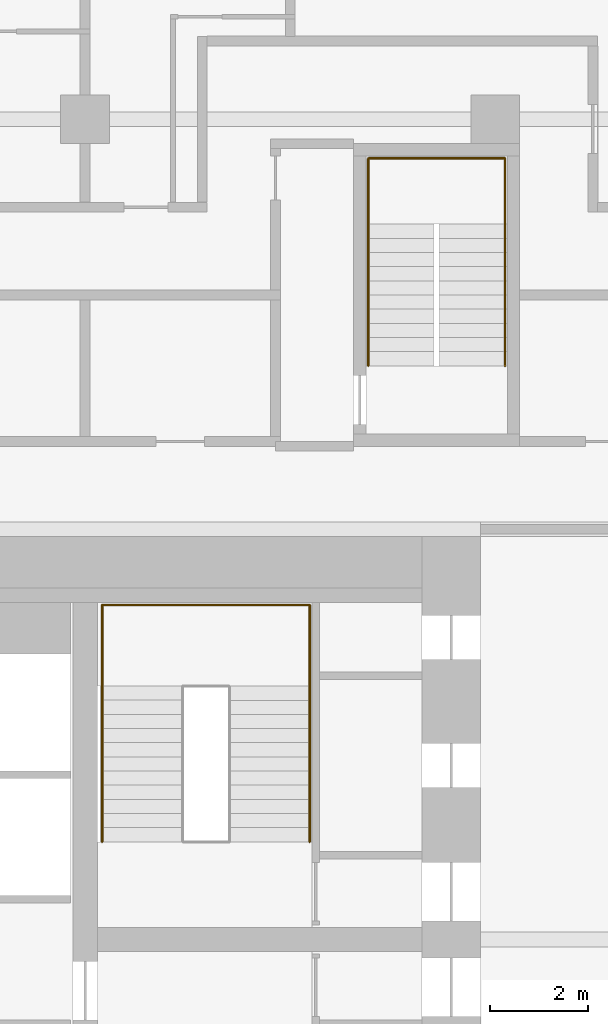
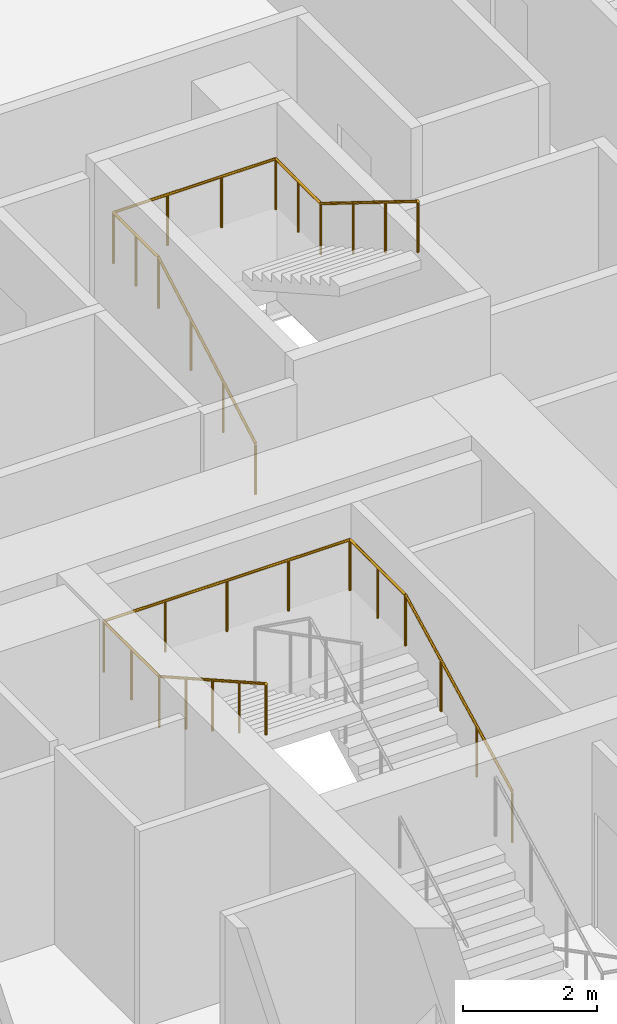
# One storey, part 35 of 35: 2 railings.
"""IFC4 building model written with IfcOpenShell, lengths in metres."""

from ifc_helpers import new_model, si_unit, direction, frame, origin, origin_2d, place, context, subcontext, project, spatial, circle, extrude, material, type_object, element, save


model = new_model("IFC4")

# Units and contexts
model_context = context("Model", 3, precision=1e-05, world=origin(), true_north=direction((0.0, 1.0)))
body_context = subcontext(model_context, "Body", "Model", "MODEL_VIEW")
ifc_project = project(units=[si_unit("LENGTHUNIT", "METRE"), si_unit("AREAUNIT", "SQUARE_METRE"), si_unit("VOLUMEUNIT", "CUBIC_METRE"), si_unit("PLANEANGLEUNIT", "RADIAN"), si_unit("MASSUNIT", "GRAM", prefix="KILO")], contexts=[model_context])

# Site, building, storey
site_placement = place(None, origin())
site = spatial("IfcSite", under=ifc_project, at=site_placement, CompositionType="ELEMENT")
building_placement = place(site_placement, origin())
building = spatial("IfcBuilding", under=site, at=building_placement, Name="Marenta Gate Hotel Tower", CompositionType="ELEMENT")
storey_placement = place(building_placement, frame((0.0, 0.0, 61.699951171875)))
storey = spatial("IfcBuildingStorey", under=building, at=storey_placement, Name="L13", CompositionType="ELEMENT", Elevation=61.699951171875)

# Railings
ifc_material = material(Name="Stainless steel", Category="steel")
railing_type = type_object("IfcRailingType", Name="Core stair handrail 950", PredefinedType="HANDRAIL", material=ifc_material)
railing_1_placement = place(storey_placement, frame((8.800048828125, 10.39990234375, 0.150146484375)))
element("IfcRailing", 1, at=railing_1_placement, inside=storey, type_object=railing_type, Name="HR-950 L13-KR-ST4-1", PredefinedType="HANDRAIL", context=body_context, shape_type="SweptSolid", body=[
    extrude(circle(Radius=0.02392578125, at=origin_2d()), frame((0.0, 0.0, 0.92578125), z_axis=(0.0, 0.888239641807, 0.459380385653), x_axis=(-1.0, 0.0, 0.0)), (0.0, 0.0, 1.0), 3.591552734375),
    extrude(circle(Radius=0.02392578125, at=origin_2d()), frame((0.0, 3.190185546875, 2.57568359375), z_axis=(0.0, 1.0, 0.0), x_axis=(-1.0, 0.0, 0.0)), (0.0, 0.0, 1.0), 1.659912109375),
    extrude(circle(Radius=0.02392578125, at=origin_2d()), frame((0.0, 4.85009765625, 2.57568359375), z_axis=(-1.0, 0.0, 0.0), x_axis=(0.0, -1.0, 0.0)), (0.0, 0.0, 1.0), 4.25),
    extrude(circle(Radius=0.02392578125, at=origin_2d()), frame((-4.25, 4.85009765625, 2.57568359375), z_axis=(0.0, -1.0, 0.0), x_axis=(1.0, 0.0, 0.0)), (0.0, 0.0, 1.0), 1.659912109375),
    extrude(circle(Radius=0.02392578125, at=origin_2d()), frame((-4.25, 3.190185546875, 2.57568359375), z_axis=(0.0, -0.870925075533, 0.491415824742), x_axis=(1.0, 0.0, 0.0)), (0.0, 0.0, 1.0), 3.6630859375),
    extrude(circle(Radius=0.02099609375, at=origin_2d()), origin(), (0.0, 0.0, 1.0), 0.90185546875),
    extrude(circle(Radius=0.02099609375, at=origin_2d()), frame((0.0, 1.0634765625, 0.550048828125)), (0.0, 0.0, 1.0), 0.90185546875),
    extrude(circle(Radius=0.02099609375, at=origin_2d()), frame((0.0, 2.126708984375, 1.099853515625)), (0.0, 0.0, 1.0), 0.90185546875),
    extrude(circle(Radius=0.02099609375, at=origin_2d()), frame((0.0, 3.190185546875, 1.64990234375)), (0.0, 0.0, 1.0), 0.90185546875),
    extrude(circle(Radius=0.02099609375, at=origin_2d()), frame((0.0, 4.02001953125, 1.64990234375)), (0.0, 0.0, 1.0), 0.90185546875),
    extrude(circle(Radius=0.02099609375, at=origin_2d()), frame((0.0, 4.85009765625, 1.64990234375)), (0.0, 0.0, 1.0), 0.90185546875),
    extrude(circle(Radius=0.02099609375, at=origin_2d()), frame((-1.0625, 4.85009765625, 1.64990234375)), (0.0, 0.0, 1.0), 0.90185546875),
    extrude(circle(Radius=0.02099609375, at=origin_2d()), frame((-2.125, 4.85009765625, 1.64990234375)), (0.0, 0.0, 1.0), 0.90185546875),
    extrude(circle(Radius=0.02099609375, at=origin_2d()), frame((-3.1875, 4.85009765625, 1.64990234375)), (0.0, 0.0, 1.0), 0.90185546875),
    extrude(circle(Radius=0.02099609375, at=origin_2d()), frame((-4.25, 4.85009765625, 1.64990234375)), (0.0, 0.0, 1.0), 0.90185546875),
    extrude(circle(Radius=0.02099609375, at=origin_2d()), frame((-4.25, 4.02001953125, 1.64990234375)), (0.0, 0.0, 1.0), 0.90185546875),
    extrude(circle(Radius=0.02099609375, at=origin_2d()), frame((-4.25, 3.190185546875, 1.64990234375)), (0.0, 0.0, 1.0), 0.90185546875),
    extrude(circle(Radius=0.02099609375, at=origin_2d()), frame((-4.25, 2.392578125, 2.099853515625)), (0.0, 0.0, 1.0), 0.90185546875),
    extrude(circle(Radius=0.02099609375, at=origin_2d()), frame((-4.25, 1.59521484375, 2.5498046875)), (0.0, 0.0, 1.0), 0.90185546875),
    extrude(circle(Radius=0.02099609375, at=origin_2d()), frame((-4.25, 0.797607421875, 3.0)), (0.0, 0.0, 1.0), 0.90185546875),
    extrude(circle(Radius=0.02099609375, at=origin_2d()), frame((-4.25, 0.0, 3.449951171875)), (0.0, 0.0, 1.0), 0.90185546875),
])
railing_2_placement = place(storey_placement, frame((10.0, 20.14990234375, 0.16357421875)))
element("IfcRailing", 2, at=railing_2_placement, inside=storey, type_object=railing_type, Name="HR-950 L13-RS-Z1-4-KR-1", PredefinedType="HANDRAIL", context=body_context, shape_type="SweptSolid", body=[
    extrude(circle(Radius=0.02392578125, at=origin_2d()), frame((0.0, 0.0, 0.92578125), z_axis=(0.0, 0.870914908162, 0.491433843708), x_axis=(-1.0, 0.0, 0.0)), (0.0, 0.0, 1.0), 3.330078125),
    extrude(circle(Radius=0.02392578125, at=origin_2d()), frame((0.0, 2.900146484375, 2.5625), z_axis=(0.0, 1.0, 0.0), x_axis=(-1.0, 0.0, 0.0)), (0.0, 0.0, 1.0), 1.349853515625),
    extrude(circle(Radius=0.02392578125, at=origin_2d()), frame((0.0, 4.25, 2.5625), z_axis=(1.0, 0.0, 0.0), x_axis=(0.0, 1.0, 0.0)), (0.0, 0.0, 1.0), 2.800048828125),
    extrude(circle(Radius=0.02392578125, at=origin_2d()), frame((2.800048828125, 4.25, 2.5625), z_axis=(0.0, -1.0, 0.0), x_axis=(1.0, 0.0, 0.0)), (0.0, 0.0, 1.0), 1.349853515625),
    extrude(circle(Radius=0.02392578125, at=origin_2d()), frame((2.800048828125, 2.900146484375, 2.5625), z_axis=(0.0, -0.849645691689, 0.527353959494), x_axis=(1.0, 0.0, 0.0)), (0.0, 0.0, 1.0), 3.413330078125),
    extrude(circle(Radius=0.02099609375, at=origin_2d()), origin(), (0.0, 0.0, 1.0), 0.90185546875),
    extrude(circle(Radius=0.02099609375, at=origin_2d()), frame((0.0, 0.966796875, 0.54541015625)), (0.0, 0.0, 1.0), 0.90185546875),
    extrude(circle(Radius=0.02099609375, at=origin_2d()), frame((0.0, 1.933349609375, 1.091064453125)), (0.0, 0.0, 1.0), 0.90185546875),
    extrude(circle(Radius=0.02099609375, at=origin_2d()), frame((0.0, 2.900146484375, 1.636474609375)), (0.0, 0.0, 1.0), 0.90185546875),
    extrude(circle(Radius=0.02099609375, at=origin_2d()), frame((0.0, 3.5751953125, 1.636474609375)), (0.0, 0.0, 1.0), 0.90185546875),
    extrude(circle(Radius=0.02099609375, at=origin_2d()), frame((0.0, 4.25, 1.636474609375)), (0.0, 0.0, 1.0), 0.90185546875),
    extrude(circle(Radius=0.02099609375, at=origin_2d()), frame((0.933349609375, 4.25, 1.636474609375)), (0.0, 0.0, 1.0), 0.90185546875),
    extrude(circle(Radius=0.02099609375, at=origin_2d()), frame((1.86669921875, 4.25, 1.636474609375)), (0.0, 0.0, 1.0), 0.90185546875),
    extrude(circle(Radius=0.02099609375, at=origin_2d()), frame((2.800048828125, 4.25, 1.636474609375)), (0.0, 0.0, 1.0), 0.90185546875),
    extrude(circle(Radius=0.02099609375, at=origin_2d()), frame((2.800048828125, 3.5751953125, 1.636474609375)), (0.0, 0.0, 1.0), 0.90185546875),
    extrude(circle(Radius=0.02099609375, at=origin_2d()), frame((2.800048828125, 2.900146484375, 1.636474609375)), (0.0, 0.0, 1.0), 0.90185546875),
    extrude(circle(Radius=0.02099609375, at=origin_2d()), frame((2.800048828125, 1.933349609375, 2.236572265625)), (0.0, 0.0, 1.0), 0.90185546875),
    extrude(circle(Radius=0.02099609375, at=origin_2d()), frame((2.800048828125, 0.966796875, 2.83642578125)), (0.0, 0.0, 1.0), 0.90185546875),
    extrude(circle(Radius=0.02099609375, at=origin_2d()), frame((2.800048828125, 0.0, 3.4365234375)), (0.0, 0.0, 1.0), 0.90185546875),
])

save(model, "model.ifc")
